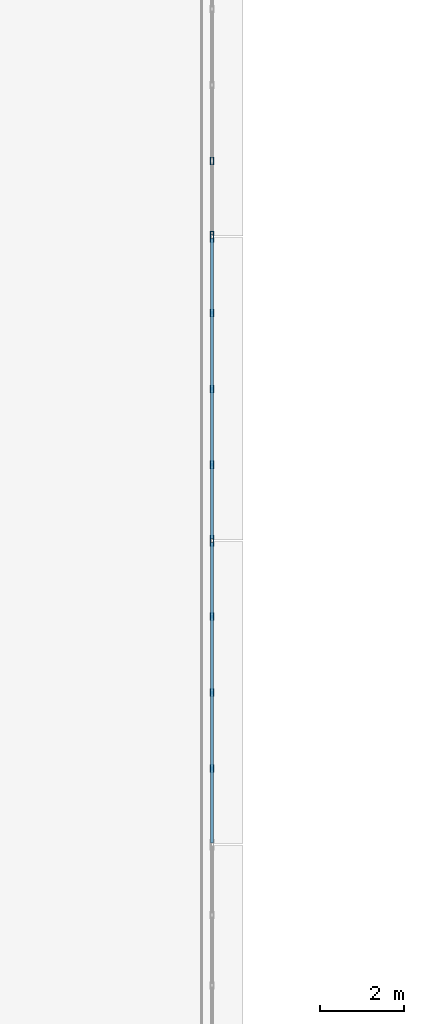
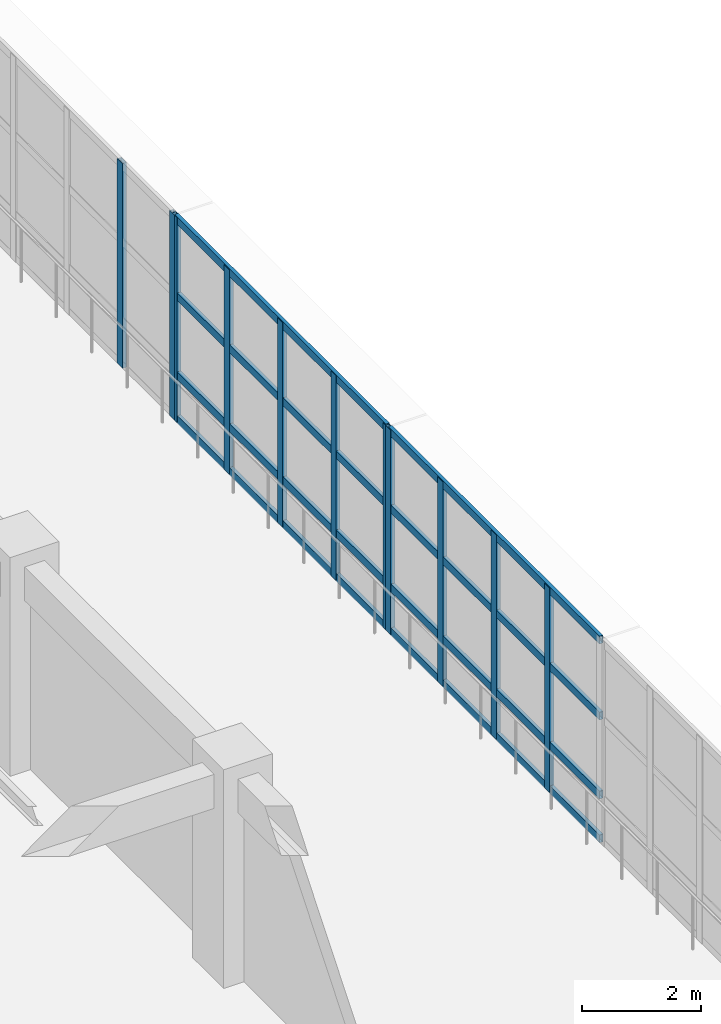
# One storey, part 34 of 171: 19 members, 3 elements without a shape of their own.
"""IFC4 building model written with IfcOpenShell, lengths in metres."""

from ifc_helpers import new_model, si_unit, direction, frame, origin, origin_2d, place, context, subcontext, project, spatial, hollow_rectangle, extrude, material, material_profile, profile_set, type_object, element, aggregate, save


model = new_model("IFC4")

# Units and contexts
model_context = context("Model", 3, precision=1e-05, world=origin(), true_north=direction((0.0, 1.0)))
body_context = subcontext(model_context, "Body", "Model", "MODEL_VIEW")
ifc_project = project(units=[si_unit("LENGTHUNIT", "METRE"), si_unit("AREAUNIT", "SQUARE_METRE"), si_unit("VOLUMEUNIT", "CUBIC_METRE"), si_unit("PLANEANGLEUNIT", "RADIAN"), si_unit("MASSUNIT", "GRAM", prefix="KILO")], contexts=[model_context])

# Site, building, storey
site_placement = place(None, origin())
site = spatial("IfcSite", under=ifc_project, at=site_placement, CompositionType="ELEMENT")
building_placement = place(site_placement, origin())
building = spatial("IfcBuilding", under=site, at=building_placement, Name="Thalmaran Polytechnic", CompositionType="ELEMENT")
storey_placement = place(building_placement, frame((0.0, 0.0, 5.39990234375)))
storey = spatial("IfcBuildingStorey", under=building, at=storey_placement, Name="L01", CompositionType="ELEMENT", Elevation=5.39990234375)

# Curtain wall, members
ifc_material = material(Name="Aluminium 6063-T6", Category="aluminium")
curtain_wall_type = type_object("IfcCurtainWallType", Name="CW-UC02", PredefinedType="USERDEFINED", material=ifc_material)
curtain_wall_1_placement = place(storey_placement, origin())
curtain_wall_1 = element("IfcCurtainWall", 1, at=curtain_wall_1_placement, inside=storey, type_object=curtain_wall_type, Name="Curtain Wall CW-L01-107", ObjectType="UNITISED CURTAIN WALL", PredefinedType="USERDEFINED")
ifc_material_profile_1 = material_profile(ifc_material, hollow_rectangle(XDim=0.080078125, YDim=0.179931640625, WallThickness=0.0048828125, at=origin_2d()), Name="RHS 180x80x5.0")
ifc_profile_set_1 = profile_set([ifc_material_profile_1], Name="Aluminium 6063-T6")
member_type_1 = type_object("IfcMemberType", Name="CW-MUL1", PredefinedType="MULLION", material=ifc_profile_set_1)
member_1_placement = place(storey_placement, frame((115.199951171875, 30.60009765625, 0.0), z_axis=(0.0, 0.0, 1.0), x_axis=(1.0, 0.0, 0.0)))
member_1 = element("IfcMember", 2, at=member_1_placement, type_object=member_type_1, Name="CW-L01-107 Mullion 4", PredefinedType="MULLION", context=body_context, shape_type="SweptSolid", body=[
    extrude(hollow_rectangle(XDim=0.080078125, YDim=0.179931640625, WallThickness=0.0048828125, at=origin_2d()), origin(), (0.0, 0.0, 1.0), 4.210205078125),
])
member_2_placement = place(storey_placement, frame((115.199951171875, 28.840087890625, 0.0), z_axis=(0.0, 0.0, 1.0), x_axis=(1.0, 0.0, 0.0)))
member_2 = element("IfcMember", 3, at=member_2_placement, type_object=member_type_1, Name="CW-L01-107 Mullion 5", PredefinedType="MULLION", context=body_context, shape_type="SweptSolid", body=[
    extrude(hollow_rectangle(XDim=0.080078125, YDim=0.179931640625, WallThickness=0.0048828125, at=origin_2d()), origin(), (0.0, 0.0, 1.0), 4.210205078125),
])
aggregate(curtain_wall_1, [member_1, member_2])

curtain_wall_2_placement = place(storey_placement, origin())
curtain_wall_2 = element("IfcCurtainWall", 4, at=curtain_wall_2_placement, inside=storey, type_object=curtain_wall_type, Name="Curtain Wall CW-L01-108", ObjectType="UNITISED CURTAIN WALL", PredefinedType="USERDEFINED")
member_3_placement = place(storey_placement, frame((115.199951171875, 28.760009765625, 0.0), z_axis=(0.0, 0.0, 1.0), x_axis=(1.0, 0.0, 0.0)))
member_3 = element("IfcMember", 5, at=member_3_placement, type_object=member_type_1, Name="CW-L01-108 Mullion 1", PredefinedType="MULLION", context=body_context, shape_type="SweptSolid", body=[
    extrude(hollow_rectangle(XDim=0.080078125, YDim=0.179931640625, WallThickness=0.0048828125, at=origin_2d()), origin(), (0.0, 0.0, 1.0), 4.210205078125),
])
member_4_placement = place(storey_placement, frame((115.199951171875, 27.0, 0.0), z_axis=(0.0, 0.0, 1.0), x_axis=(1.0, 0.0, 0.0)))
member_4 = element("IfcMember", 6, at=member_4_placement, type_object=member_type_1, Name="CW-L01-108 Mullion 2", PredefinedType="MULLION", context=body_context, shape_type="SweptSolid", body=[
    extrude(hollow_rectangle(XDim=0.080078125, YDim=0.179931640625, WallThickness=0.0048828125, at=origin_2d()), origin(), (0.0, 0.0, 1.0), 4.210205078125),
])
member_5_placement = place(storey_placement, frame((115.199951171875, 25.199951171875, 0.0), z_axis=(0.0, 0.0, 1.0), x_axis=(1.0, 0.0, 0.0)))
member_5 = element("IfcMember", 7, at=member_5_placement, type_object=member_type_1, Name="CW-L01-108 Mullion 3", PredefinedType="MULLION", context=body_context, shape_type="SweptSolid", body=[
    extrude(hollow_rectangle(XDim=0.080078125, YDim=0.179931640625, WallThickness=0.0048828125, at=origin_2d()), origin(), (0.0, 0.0, 1.0), 4.210205078125),
])
member_6_placement = place(storey_placement, frame((115.199951171875, 23.39990234375, 0.0), z_axis=(0.0, 0.0, 1.0), x_axis=(1.0, 0.0, 0.0)))
member_6 = element("IfcMember", 8, at=member_6_placement, type_object=member_type_1, Name="CW-L01-108 Mullion 4", PredefinedType="MULLION", context=body_context, shape_type="SweptSolid", body=[
    extrude(hollow_rectangle(XDim=0.080078125, YDim=0.179931640625, WallThickness=0.0048828125, at=origin_2d()), origin(), (0.0, 0.0, 1.0), 4.210205078125),
])
member_7_placement = place(storey_placement, frame((115.199951171875, 21.639892578125, 0.0), z_axis=(0.0, 0.0, 1.0), x_axis=(1.0, 0.0, 0.0)))
member_7 = element("IfcMember", 9, at=member_7_placement, type_object=member_type_1, Name="CW-L01-108 Mullion 5", PredefinedType="MULLION", context=body_context, shape_type="SweptSolid", body=[
    extrude(hollow_rectangle(XDim=0.080078125, YDim=0.179931640625, WallThickness=0.0048828125, at=origin_2d()), origin(), (0.0, 0.0, 1.0), 4.210205078125),
])

curtain_wall_3_placement = place(storey_placement, origin())
curtain_wall_3 = element("IfcCurtainWall", 10, at=curtain_wall_3_placement, inside=storey, type_object=curtain_wall_type, Name="Curtain Wall CW-L01-109", ObjectType="UNITISED CURTAIN WALL", PredefinedType="USERDEFINED")
member_8_placement = place(storey_placement, frame((115.199951171875, 21.56005859375, 0.0), z_axis=(0.0, 0.0, 1.0), x_axis=(1.0, 0.0, 0.0)))
member_8 = element("IfcMember", 11, at=member_8_placement, type_object=member_type_1, Name="CW-L01-109 Mullion 1", PredefinedType="MULLION", context=body_context, shape_type="SweptSolid", body=[
    extrude(hollow_rectangle(XDim=0.080078125, YDim=0.179931640625, WallThickness=0.0048828125, at=origin_2d()), origin(), (0.0, 0.0, 1.0), 4.210205078125),
])
member_9_placement = place(storey_placement, frame((115.199951171875, 19.800048828125, 0.0), z_axis=(0.0, 0.0, 1.0), x_axis=(1.0, 0.0, 0.0)))
member_9 = element("IfcMember", 12, at=member_9_placement, type_object=member_type_1, Name="CW-L01-109 Mullion 2", PredefinedType="MULLION", context=body_context, shape_type="SweptSolid", body=[
    extrude(hollow_rectangle(XDim=0.080078125, YDim=0.179931640625, WallThickness=0.0048828125, at=origin_2d()), origin(), (0.0, 0.0, 1.0), 4.210205078125),
])
member_10_placement = place(storey_placement, frame((115.199951171875, 18.0, 0.0), z_axis=(0.0, 0.0, 1.0), x_axis=(1.0, 0.0, 0.0)))
member_10 = element("IfcMember", 13, at=member_10_placement, type_object=member_type_1, Name="CW-L01-109 Mullion 3", PredefinedType="MULLION", context=body_context, shape_type="SweptSolid", body=[
    extrude(hollow_rectangle(XDim=0.080078125, YDim=0.179931640625, WallThickness=0.0048828125, at=origin_2d()), origin(), (0.0, 0.0, 1.0), 4.210205078125),
])
member_11_placement = place(storey_placement, frame((115.199951171875, 16.199951171875, 0.0), z_axis=(0.0, 0.0, 1.0), x_axis=(1.0, 0.0, 0.0)))
member_11 = element("IfcMember", 14, at=member_11_placement, type_object=member_type_1, Name="CW-L01-109 Mullion 4", PredefinedType="MULLION", context=body_context, shape_type="SweptSolid", body=[
    extrude(hollow_rectangle(XDim=0.080078125, YDim=0.179931640625, WallThickness=0.0048828125, at=origin_2d()), origin(), (0.0, 0.0, 1.0), 4.210205078125),
])

# Member
ifc_material_profile_2 = material_profile(ifc_material, hollow_rectangle(XDim=0.070068359375, YDim=0.159912109375, WallThickness=0.00390625, at=origin_2d()), Name="AL 160x70x4.0")
ifc_profile_set_2 = profile_set([ifc_material_profile_2], Name="Aluminium 6063-T6")
member_type_2 = type_object("IfcMemberType", Name="CW-TRN1", PredefinedType="USERDEFINED", material=ifc_profile_set_2)
member_12_placement = place(storey_placement, frame((115.199951171875, 28.760009765625, 0.06005859375), z_axis=(0.0, -1.0, 0.0), x_axis=(1.0, 0.0, 0.0)))
member_12 = element("IfcMember", 15, at=member_12_placement, type_object=member_type_2, Name="CW-L01-108 Transom 1", ObjectType="TRANSOM", PredefinedType="USERDEFINED", context=body_context, shape_type="SweptSolid", body=[
    extrude(hollow_rectangle(XDim=0.070068359375, YDim=0.159912109375, WallThickness=0.00390625, at=origin_2d()), origin(), (0.0, 0.0, 1.0), 7.1201171875),
])

member_13_placement = place(storey_placement, frame((115.199951171875, 28.760009765625, 0.960205078125), z_axis=(0.0, -1.0, 0.0), x_axis=(1.0, 0.0, 0.0)))
member_13 = element("IfcMember", 16, at=member_13_placement, type_object=member_type_2, Name="CW-L01-108 Transom 2", ObjectType="TRANSOM", PredefinedType="USERDEFINED", context=body_context, shape_type="SweptSolid", body=[
    extrude(hollow_rectangle(XDim=0.070068359375, YDim=0.159912109375, WallThickness=0.00390625, at=origin_2d()), origin(), (0.0, 0.0, 1.0), 7.1201171875),
])

member_14_placement = place(storey_placement, frame((115.199951171875, 28.760009765625, 2.585205078125), z_axis=(0.0, -1.0, 0.0), x_axis=(1.0, 0.0, 0.0)))
member_14 = element("IfcMember", 17, at=member_14_placement, type_object=member_type_2, Name="CW-L01-108 Transom 3", ObjectType="TRANSOM", PredefinedType="USERDEFINED", context=body_context, shape_type="SweptSolid", body=[
    extrude(hollow_rectangle(XDim=0.070068359375, YDim=0.159912109375, WallThickness=0.00390625, at=origin_2d()), origin(), (0.0, 0.0, 1.0), 7.1201171875),
])

member_15_placement = place(storey_placement, frame((115.199951171875, 28.760009765625, 4.150146484375), z_axis=(0.0, -1.0, 0.0), x_axis=(1.0, 0.0, 0.0)))
member_15 = element("IfcMember", 18, at=member_15_placement, type_object=member_type_2, Name="CW-L01-108 Transom 4", ObjectType="TRANSOM", PredefinedType="USERDEFINED", context=body_context, shape_type="SweptSolid", body=[
    extrude(hollow_rectangle(XDim=0.070068359375, YDim=0.159912109375, WallThickness=0.00390625, at=origin_2d()), origin(), (0.0, 0.0, 1.0), 7.1201171875),
])

aggregate(curtain_wall_2, [member_3, member_4, member_5, member_6, member_7, member_12, member_13, member_14, member_15])

member_16_placement = place(storey_placement, frame((115.199951171875, 21.56005859375, 0.06005859375), z_axis=(0.0, -1.0, 0.0), x_axis=(1.0, 0.0, 0.0)))
member_16 = element("IfcMember", 19, at=member_16_placement, type_object=member_type_2, Name="CW-L01-109 Transom 1", ObjectType="TRANSOM", PredefinedType="USERDEFINED", context=body_context, shape_type="SweptSolid", body=[
    extrude(hollow_rectangle(XDim=0.070068359375, YDim=0.159912109375, WallThickness=0.00390625, at=origin_2d()), origin(), (0.0, 0.0, 1.0), 7.1201171875),
])

member_17_placement = place(storey_placement, frame((115.199951171875, 21.56005859375, 0.960205078125), z_axis=(0.0, -1.0, 0.0), x_axis=(1.0, 0.0, 0.0)))
member_17 = element("IfcMember", 20, at=member_17_placement, type_object=member_type_2, Name="CW-L01-109 Transom 2", ObjectType="TRANSOM", PredefinedType="USERDEFINED", context=body_context, shape_type="SweptSolid", body=[
    extrude(hollow_rectangle(XDim=0.070068359375, YDim=0.159912109375, WallThickness=0.00390625, at=origin_2d()), origin(), (0.0, 0.0, 1.0), 7.1201171875),
])

member_18_placement = place(storey_placement, frame((115.199951171875, 21.56005859375, 2.585205078125), z_axis=(0.0, -1.0, 0.0), x_axis=(1.0, 0.0, 0.0)))
member_18 = element("IfcMember", 21, at=member_18_placement, type_object=member_type_2, Name="CW-L01-109 Transom 3", ObjectType="TRANSOM", PredefinedType="USERDEFINED", context=body_context, shape_type="SweptSolid", body=[
    extrude(hollow_rectangle(XDim=0.070068359375, YDim=0.159912109375, WallThickness=0.00390625, at=origin_2d()), origin(), (0.0, 0.0, 1.0), 7.1201171875),
])

member_19_placement = place(storey_placement, frame((115.199951171875, 21.56005859375, 4.150146484375), z_axis=(0.0, -1.0, 0.0), x_axis=(1.0, 0.0, 0.0)))
member_19 = element("IfcMember", 22, at=member_19_placement, type_object=member_type_2, Name="CW-L01-109 Transom 4", ObjectType="TRANSOM", PredefinedType="USERDEFINED", context=body_context, shape_type="SweptSolid", body=[
    extrude(hollow_rectangle(XDim=0.070068359375, YDim=0.159912109375, WallThickness=0.00390625, at=origin_2d()), origin(), (0.0, 0.0, 1.0), 7.1201171875),
])

aggregate(curtain_wall_3, [member_8, member_9, member_10, member_11, member_16, member_17, member_18, member_19])

save(model, "model.ifc")
